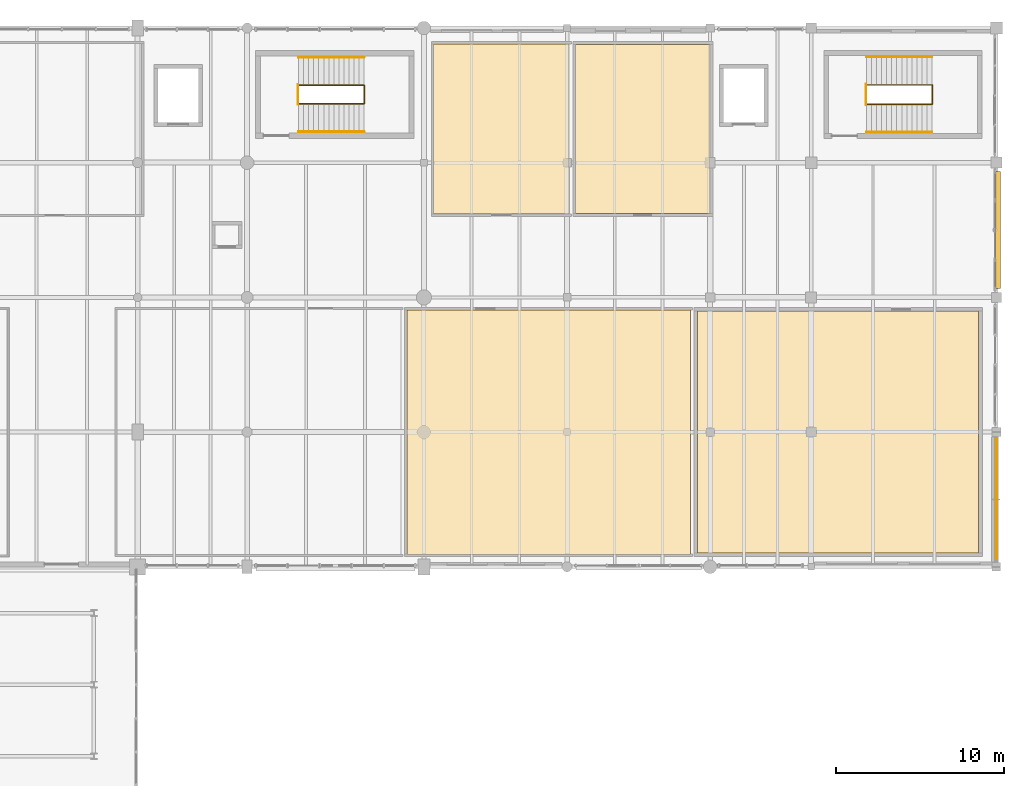
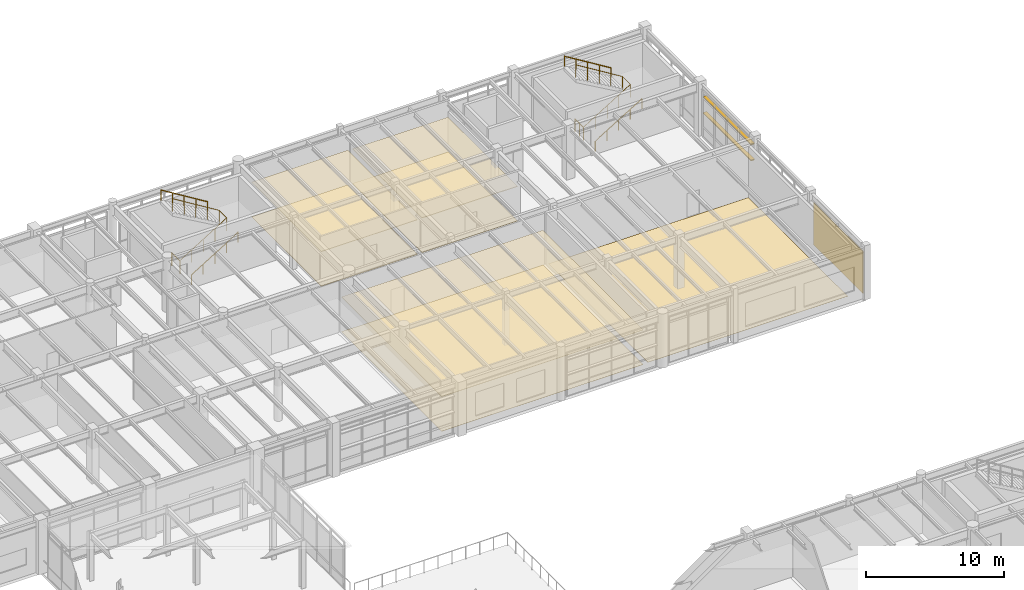
# One storey, part 200 of 200: 8 coverings, 8 railings, 2 shading devices.
"""IFC4 building model written with IfcOpenShell, lengths in metres."""

import ifcopenshell
import ifcopenshell.guid

model = None  # the IFC model being written
_history = None  # IfcOwnerHistory: only IFC2X3 demands one
_inside = {}  # id of a spatial element -> (the spatial element, [elements in it])
_under = {}  # id of a project, library or spatial element -> (it, [spatial elements below it])
_declared = {}  # id of a project -> (the project, [libraries it declares])
_typed = {}  # id of a type object -> (the type object, [elements of that type])
_made_of = {}  # id of a material, layer set ... -> (it, [elements and type objects made of it])


def new_model(schema):
    """Start an empty IFC model of exactly this schema.

    Asked for "IFC4X3", IfcOpenShell would pick the latest addendum, in which some entities
    have other attributes; the version numbers below select the first issue.
    IFC2X3 requires an IfcOwnerHistory on every rooted entity: one is made here for all.
    """
    global model, _history
    if schema == "IFC4X3":
        model = ifcopenshell.file(schema_version=(4, 3, 0, 0))
    else:
        model = ifcopenshell.file(schema=schema)
    _inside.clear()
    _under.clear()
    _declared.clear()
    _typed.clear()
    _made_of.clear()
    _history = None
    if model.schema == "IFC2X3":
        org = make("IfcOrganization", Name="unknown")
        user = make(
            "IfcPersonAndOrganization",
            ThePerson=make("IfcPerson", FamilyName="unknown"),
            TheOrganization=org,
        )
        app = make(
            "IfcApplication",
            ApplicationDeveloper=org,
            Version="unknown",
            ApplicationFullName="unknown",
            ApplicationIdentifier="unknown",
        )
        _history = make(
            "IfcOwnerHistory",
            OwningUser=user,
            OwningApplication=app,
            ChangeAction="ADDED",
            CreationDate=0,
        )
    return model


def make(cls, **values):
    """One entity of the class cls with the attributes given. An attribute that is None is left unset."""
    return model.create_entity(
        cls, **{name: value for name, value in values.items() if value is not None}
    )


def rooted(cls, **values):
    """An entity with a GlobalId (a new one), such as an element, a storey or a relation."""
    return make(cls, GlobalId=ifcopenshell.guid.new(), OwnerHistory=_history, **values)


def si_unit(unit_type, name, prefix=None):
    """IfcSIUnit, for example si_unit("LENGTHUNIT", "METRE", prefix="MILLI")."""
    return make("IfcSIUnit", UnitType=unit_type, Prefix=prefix, Name=name)


def assignment(units):
    """IfcUnitAssignment: the units of a project."""
    return None if units is None else make("IfcUnitAssignment", Units=units)


def point(xyz):
    """IfcCartesianPoint."""
    return None if xyz is None else make("IfcCartesianPoint", Coordinates=xyz)


def direction(xyz):
    """IfcDirection."""
    return None if xyz is None else make("IfcDirection", DirectionRatios=xyz)


def frame(location, z_axis=None, x_axis=None):
    """IfcAxis2Placement3D, a coordinate frame: its origin and axes. An axis left out is left unset."""
    return make(
        "IfcAxis2Placement3D",
        Location=point(location),
        Axis=direction(z_axis),
        RefDirection=direction(x_axis),
    )


def frame_2d(location, x_axis=None):
    """IfcAxis2Placement2D, a coordinate frame in the plane: its origin and x axis."""
    return make(
        "IfcAxis2Placement2D", Location=point(location), RefDirection=direction(x_axis)
    )


def origin():
    """The frame at (0, 0, 0) with its axes left unset."""
    return frame((0.0, 0.0, 0.0))


def origin_2d():
    """The frame at (0, 0) in the plane with its x axis left unset."""
    return frame_2d((0.0, 0.0))


def place(relative_to, where):
    """IfcLocalPlacement: puts the frame where relative to a parent placement (None: the world)."""
    return make(
        "IfcLocalPlacement", PlacementRelTo=relative_to, RelativePlacement=where
    )


def context(
    kind, dimensions, precision=None, world=None, true_north=None, identifier=None
):
    """IfcGeometricRepresentationContext, for example the 3D "Model" context."""
    return make(
        "IfcGeometricRepresentationContext",
        ContextIdentifier=identifier,
        ContextType=kind,
        CoordinateSpaceDimension=dimensions,
        Precision=precision,
        WorldCoordinateSystem=world,
        TrueNorth=true_north,
    )


def subcontext(parent, identifier, kind, view, scale=None):
    """IfcGeometricRepresentationSubContext, for example "Body" below "Model"."""
    return make(
        "IfcGeometricRepresentationSubContext",
        ContextIdentifier=identifier,
        ContextType=kind,
        ParentContext=parent,
        TargetScale=scale,
        TargetView=view,
    )


def project(units=None, contexts=None):
    """IfcProject with its units and contexts."""
    return rooted(
        "IfcProject",
        Name="project",
        RepresentationContexts=contexts,
        UnitsInContext=assignment(units),
    )


def spatial(cls, under=None, at=None, **own):
    """A site, building, storey or space (cls), placed at a placement, below another one or the project."""
    s = rooted(cls, ObjectPlacement=at, **own)
    if under is not None:
        _under.setdefault(under.id(), (under, []))[1].append(s)
    return s


def polyline(points):
    """IfcPolyline through the points."""
    return make("IfcPolyline", Points=[point(p) for p in points])


def profile(cls, at=None, kind="AREA", **sizes):
    """A parametric profile (cls). Its sizes go by their IFC names, for example OverallWidth=200.0."""
    return make(cls, ProfileType=kind, Position=at, **sizes)


def rectangle(**sizes):
    """IfcRectangleProfileDef."""
    return profile("IfcRectangleProfileDef", **sizes)


def circle(**sizes):
    """IfcCircleProfileDef."""
    return profile("IfcCircleProfileDef", **sizes)


def outline(outer, holes=None, kind="AREA"):
    """IfcArbitraryClosedProfileDef: a profile drawn as a closed curve; with holes, ...WithVoids."""
    if holes is None:
        return make("IfcArbitraryClosedProfileDef", ProfileType=kind, OuterCurve=outer)
    return make(
        "IfcArbitraryProfileDefWithVoids",
        ProfileType=kind,
        OuterCurve=outer,
        InnerCurves=holes,
    )


def extrude(swept, where, along, depth):
    """IfcExtrudedAreaSolid: the profile swept, set in the frame where, extruded along a direction by depth."""
    return make(
        "IfcExtrudedAreaSolid",
        SweptArea=swept,
        Position=where,
        ExtrudedDirection=direction(along),
        Depth=depth,
    )


def shape(context_of_items, identifier, shape_type, items):
    """IfcShapeRepresentation: the items that make up one representation, for example the "Body"."""
    return make(
        "IfcShapeRepresentation",
        ContextOfItems=context_of_items,
        RepresentationIdentifier=identifier,
        RepresentationType=shape_type,
        Items=items,
    )


def material(Name=None, Category=None):
    """IfcMaterial."""
    return make("IfcMaterial", Name=Name, Category=Category)


def layer(
    of_material, thickness, ventilated=None, Name=None, Category=None, Priority=None
):
    """IfcMaterialLayer: one layer of a wall or slab, of a material (None: an air gap)."""
    return make(
        "IfcMaterialLayer",
        Material=of_material,
        LayerThickness=thickness,
        IsVentilated=ventilated,
        Name=Name,
        Category=Category,
        Priority=Priority,
    )


def layer_set(layers, Name=None):
    """IfcMaterialLayerSet."""
    return make("IfcMaterialLayerSet", MaterialLayers=layers, LayerSetName=Name)


def made_of(thing, what):
    """Note that an element or type object is made of a material, layer set ...; save() writes the relation."""
    if what is not None:
        _made_of.setdefault(what.id(), (what, []))[1].append(thing)
    return thing


def type_object(cls, material=None, **own):
    """A type object (cls), such as IfcWallType, which elements share."""
    return made_of(rooted(cls, **own), material)


def element(
    cls,
    number,
    at=None,
    inside=None,
    cuts=None,
    type_object=None,
    material=None,
    context=None,
    identifier="Body",
    shape_type=None,
    held_by="IfcProductDefinitionShape",
    body=None,
    shapes=None,
    **own,
):
    """One element of the class cls, such as IfcWall. Its Tag is "e" and its number.

    at: its placement. inside: the storey or other place that contains it. cuts: it is an
    opening in that element (IfcRelVoidsElement). A single representation is given by context,
    identifier, shape_type and body (its items); several are given by shapes. held_by: the class
    of the entity that holds the representations. save() writes the other relations.
    """
    e = rooted(cls, Tag="e%d" % number, ObjectPlacement=at, **own)
    if body is not None:
        shapes = [shape(context, identifier, shape_type, body)]
    if shapes is not None:
        e.Representation = make(held_by, Representations=shapes)
    if inside is not None:
        _inside.setdefault(inside.id(), (inside, []))[1].append(e)
    if cuts is not None:
        rooted(
            "IfcRelVoidsElement", RelatingBuildingElement=cuts, RelatedOpeningElement=e
        )
    if type_object is not None:
        _typed.setdefault(type_object.id(), (type_object, []))[1].append(e)
    return made_of(e, material)


def aggregate(whole, parts):
    """IfcRelAggregates: a whole, such as a stair, and the parts it consists of."""
    return rooted("IfcRelAggregates", RelatingObject=whole, RelatedObjects=parts)


def save(model, path):
    """Write the relations noted so far, then the file.

    IfcRelAggregates (storeys below a building ...), IfcRelContainedInSpatialStructure (elements
    in a storey), IfcRelDefinesByType, IfcRelAssociatesMaterial and IfcRelDeclares: one each for
    every whole, place, type object, material and project.
    """
    for whole, parts in _under.values():
        aggregate(whole, parts)
    for where, things in _inside.values():
        rooted(
            "IfcRelContainedInSpatialStructure",
            RelatedElements=things,
            RelatingStructure=where,
        )
    for kind, things in _typed.values():
        rooted("IfcRelDefinesByType", RelatedObjects=things, RelatingType=kind)
    for what, things in _made_of.values():
        rooted("IfcRelAssociatesMaterial", RelatedObjects=things, RelatingMaterial=what)
    for by, libraries in _declared.values():
        rooted("IfcRelDeclares", RelatingContext=by, RelatedDefinitions=libraries)
    model.write(path)


model = new_model("IFC4")

# Units and contexts
model_context = context("Model", 3, precision=1e-05, world=origin(), true_north=direction((0.0, 1.0)))
body_context = subcontext(model_context, "Body", "Model", "MODEL_VIEW")
ifc_project = project(units=[si_unit("LENGTHUNIT", "METRE"), si_unit("AREAUNIT", "SQUARE_METRE"), si_unit("VOLUMEUNIT", "CUBIC_METRE"), si_unit("PLANEANGLEUNIT", "RADIAN"), si_unit("MASSUNIT", "GRAM", prefix="KILO"), si_unit("THERMODYNAMICTEMPERATUREUNIT", "KELVIN"), si_unit("POWERUNIT", "WATT")], contexts=[model_context])

# Site, building, storey
site_placement = place(None, origin())
site = spatial("IfcSite", under=ifc_project, at=site_placement, CompositionType="ELEMENT")
building_placement = place(site_placement, origin())
building = spatial("IfcBuilding", under=site, at=building_placement, Name="Tepalcoro Natatorium and Aquatics Centre", CompositionType="ELEMENT")
storey_placement = place(building_placement, frame((0.0, 0.0, 5.39990234375)))
storey = spatial("IfcBuildingStorey", under=building, at=storey_placement, Name="L01", CompositionType="ELEMENT", Elevation=5.39990234375)

# Coverings
ifc_material_1 = material(Name="Jalisco Cantera Rosa Volcanic Tuff Ashlar Masonry", Category="masonry")
ifc_layer_1 = layer(ifc_material_1, 0.050048828125)
ifc_layer_set_1 = layer_set([ifc_layer_1], Name="Jalisco Cantera Rosa Volcanic Tuff Ashlar Masonry")
covering_type_1 = type_object("IfcCoveringType", Name="CD_TERRACOTTA_50", PredefinedType="CLADDING", material=ifc_layer_set_1)
covering_1_placement = place(storey_placement, frame((176.02001953125, 90.0048828125, 0.10009765625), z_axis=(0.0, 0.0, 1.0), x_axis=(1.0, 0.0, 0.0)))
element("IfcCovering", 1, at=covering_1_placement, inside=storey, type_object=covering_type_1, Name="Volcanic Stone Facade Cladding CD_TERRACOTTA_50", PredefinedType="CLADDING", context=body_context, shape_type="SweptSolid", body=[
    extrude(rectangle(XDim=0.050048828125, YDim=7.132080078125, at=origin_2d()), origin(), (0.0, 0.0, 1.0), 3.718017578125),
])
ifc_material_2 = material(Name="Perforated Corrosion-Resistant Acoustic Aluminium Baffle Ceiling", Category="aluminium")
ifc_layer_2 = layer(ifc_material_2, 0.044921875)
ifc_layer_set_2 = layer_set([ifc_layer_2], Name="Perforated Corrosion-Resistant Acoustic Aluminium Baffle Ceiling")
covering_type_2 = type_object("IfcCoveringType", Name="CL_BAFFLE_120", PredefinedType="CEILING", material=ifc_layer_set_2)
covering_2_placement = place(storey_placement, frame((0.0, 0.0, 3.050048828125)))
element("IfcCovering", 2, at=covering_2_placement, inside=storey, type_object=covering_type_2, Name="Broadcast Cabling & Camera Store Suspended Ceiling", PredefinedType="CEILING", context=body_context, shape_type="SweptSolid", body=[
    extrude(outline(polyline([(151.010009765625, 106.969970703125), (151.010009765625, 117.030029296875), (158.989990234375, 117.030029296875), (158.989990234375, 106.969970703125), (151.010009765625, 106.969970703125)])), origin(), (0.0, 0.0, 1.0), 0.045166015625),
])
ifc_material_3 = material(Name="Moisture-Resistant Acoustic Gypsum Drywall on Cold-Formed Metal Studs")
ifc_layer_3 = layer(ifc_material_3, 0.030029296875)
ifc_layer_set_3 = layer_set([ifc_layer_3], Name="Moisture-Resistant Acoustic Gypsum Drywall on Cold-Formed Metal Studs")
covering_type_3 = type_object("IfcCoveringType", Name="CL_GYPSUM_30", PredefinedType="CEILING", material=ifc_layer_set_3)
covering_3_placement = place(storey_placement, frame((0.0, 0.0, 3.050048828125)))
element("IfcCovering", 3, at=covering_3_placement, inside=storey, type_object=covering_type_3, Name="Simultaneous Interpretation Booths & AV Rack Suspended Ceiling", PredefinedType="CEILING", context=body_context, shape_type="SweptSolid", body=[
    extrude(outline(polyline([(140.97998046875, 86.739990234375), (140.97998046875, 101.260009765625), (157.820068359375, 101.260009765625), (157.820068359375, 86.739990234375), (140.97998046875, 86.739990234375)])), origin(), (0.0, 0.0, 1.0), 0.030029296875),
])
ifc_layer_4 = layer(ifc_material_2, 0.0400390625)
ifc_layer_set_4 = layer_set([ifc_layer_4], Name="Perforated Corrosion-Resistant Acoustic Aluminium Baffle Ceiling")
covering_type_4 = type_object("IfcCoveringType", Name="CL_PERF_AL_40", PredefinedType="CEILING", material=ifc_layer_set_4)
covering_4_placement = place(storey_placement, frame((0.0, 0.0, 3.050048828125)))
element("IfcCovering", 4, at=covering_4_placement, inside=storey, type_object=covering_type_4, Name="Volunteer Briefing & Uniform Room Suspended Ceiling", PredefinedType="CEILING", context=body_context, shape_type="SweptSolid", body=[
    extrude(outline(polyline([(142.580078125, 106.93994140625), (142.580078125, 117.06005859375), (150.6201171875, 117.06005859375), (150.6201171875, 106.93994140625), (142.580078125, 106.93994140625)])), origin(), (0.0, 0.0, 1.0), 0.0400390625),
])
ifc_material_4 = material(Name="Shock-Absorbing Vulcanised Athletic Rubber Flooring")
ifc_layer_5 = layer(ifc_material_4, 0.010009765625)
ifc_layer_set_5 = layer_set([ifc_layer_5], Name="Shock-Absorbing Vulcanised Athletic Rubber Flooring")
covering_type_5 = type_object("IfcCoveringType", Name="FL_CARPET_10", PredefinedType="FLOORING", material=ifc_layer_set_5)
covering_5_placement = place(storey_placement, origin())
element("IfcCovering", 5, at=covering_5_placement, inside=storey, type_object=covering_type_5, Name="Simultaneous Interpretation Booths & AV Rack Floor Finish", PredefinedType="FLOORING", context=body_context, shape_type="SweptSolid", body=[
    extrude(outline(polyline([(140.97998046875, 86.739990234375), (140.97998046875, 101.260009765625), (157.820068359375, 101.260009765625), (157.820068359375, 86.739990234375), (140.97998046875, 86.739990234375)])), origin(), (0.0, 0.0, 1.0), 0.010009765625),
])
ifc_layer_6 = layer(ifc_material_4, 0.011962890625)
ifc_layer_set_6 = layer_set([ifc_layer_6], Name="Shock-Absorbing Vulcanised Athletic Rubber Flooring")
covering_type_6 = type_object("IfcCoveringType", Name="FL_RUBBER_12", PredefinedType="FLOORING", material=ifc_layer_set_6)
covering_6_placement = place(storey_placement, origin())
element("IfcCovering", 6, at=covering_6_placement, inside=storey, type_object=covering_type_6, Name="Media Male/Female & Accessible Toilets Floor Finish", PredefinedType="FLOORING", context=body_context, shape_type="SweptSolid", body=[
    extrude(outline(polyline([(158.25, 86.81005859375), (158.25, 101.18994140625), (174.949951171875, 101.18994140625), (174.949951171875, 86.81005859375), (158.25, 86.81005859375)])), origin(), (0.0, 0.0, 1.0), 0.01220703125),
])
ifc_material_5 = material(Name="Polished Jalisco Basalt Aggregate Terrazzo Flooring", Category="masonry")
ifc_layer_7 = layer(ifc_material_5, 0.028076171875)
ifc_layer_set_7 = layer_set([ifc_layer_7], Name="Polished Jalisco Basalt Aggregate Terrazzo Flooring")
covering_type_7 = type_object("IfcCoveringType", Name="FL_TERRAZZO_25", PredefinedType="FLOORING", material=ifc_layer_set_7)
covering_7_placement = place(storey_placement, origin())
element("IfcCovering", 7, at=covering_7_placement, inside=storey, type_object=covering_type_7, Name="Broadcast Cabling & Camera Store Floor Finish", PredefinedType="FLOORING", context=body_context, shape_type="SweptSolid", body=[
    extrude(outline(polyline([(151.010009765625, 106.969970703125), (151.010009765625, 117.030029296875), (158.989990234375, 117.030029296875), (158.989990234375, 106.969970703125), (151.010009765625, 106.969970703125)])), origin(), (0.0, 0.0, 1.0), 0.028076171875),
])
ifc_material_6 = material(Name="Sprung Maple Sports Floor Assembly")
ifc_layer_8 = layer(ifc_material_6, 0.02392578125)
ifc_layer_set_8 = layer_set([ifc_layer_8], Name="Sprung Maple Sports Floor Assembly")
covering_type_8 = type_object("IfcCoveringType", Name="FL_WOOD_22", PredefinedType="FLOORING", material=ifc_layer_set_8)
covering_8_placement = place(storey_placement, origin())
element("IfcCovering", 8, at=covering_8_placement, inside=storey, type_object=covering_type_8, Name="Volunteer Briefing & Uniform Room Floor Finish", PredefinedType="FLOORING", context=body_context, shape_type="SweptSolid", body=[
    extrude(outline(polyline([(142.580078125, 106.93994140625), (142.580078125, 117.06005859375), (150.6201171875, 117.06005859375), (150.6201171875, 106.93994140625), (142.580078125, 106.93994140625)])), origin(), (0.0, 0.0, 1.0), 0.024169921875),
])

# Railings
ifc_material_7 = material(Name="Bronze-Anodised Extruded Aluminium Alloy EN AW-6063 T6", Category="aluminium")
railing_type_1 = type_object("IfcRailingType", Name="RL_HAND_900_BRZ", PredefinedType="HANDRAIL", material=ifc_material_7)
railing_1_placement = place(storey_placement, frame((134.550048828125, 111.830078125, 0.0)))
element("IfcRailing", 9, at=railing_1_placement, inside=storey, type_object=railing_type_1, Name="ST09-L01 Wall Handrail F1", PredefinedType="HANDRAIL", context=body_context, shape_type="SweptSolid", body=[
    extrude(circle(Radius=0.02392578125, at=origin_2d()), frame((0.0, 0.0, 0.8759765625), z_axis=(0.851638180308, 0.0, 0.5241301459), x_axis=(0.0, 1.0, 0.0)), (0.0, 0.0, 1.0), 4.579345703125),
    extrude(circle(Radius=0.02099609375, at=origin_2d()), origin(), (0.0, 0.0, 1.0), 0.851806640625),
    extrude(circle(Radius=0.02099609375, at=origin_2d()), frame((0.97509765625, 0.0, 0.60009765625)), (0.0, 0.0, 1.0), 0.851806640625),
    extrude(circle(Radius=0.02099609375, at=origin_2d()), frame((1.949951171875, 0.0, 1.2001953125)), (0.0, 0.0, 1.0), 0.851806640625),
    extrude(circle(Radius=0.02099609375, at=origin_2d()), frame((2.9248046875, 0.0, 1.800048828125)), (0.0, 0.0, 1.0), 0.851806640625),
    extrude(circle(Radius=0.02099609375, at=origin_2d()), frame((3.89990234375, 0.0, 2.400146484375)), (0.0, 0.0, 1.0), 0.851806640625),
])
railing_2_placement = place(storey_placement, frame((138.449951171875, 116.27001953125, 2.400146484375)))
element("IfcRailing", 10, at=railing_2_placement, inside=storey, type_object=railing_type_1, Name="ST09-L01 Wall Handrail F2", PredefinedType="HANDRAIL", context=body_context, shape_type="SweptSolid", body=[
    extrude(circle(Radius=0.02392578125, at=origin_2d()), frame((0.0, 0.0, 0.8759765625), z_axis=(-0.851661977835, 0.0, 0.524091476281), x_axis=(0.0, -1.0, 0.0)), (0.0, 0.0, 1.0), 4.5791015625),
    extrude(circle(Radius=0.02099609375, at=origin_2d()), origin(), (0.0, 0.0, 1.0), 0.851806640625),
    extrude(circle(Radius=0.02099609375, at=origin_2d()), frame((-0.97509765625, 0.0, 0.60009765625)), (0.0, 0.0, 1.0), 0.851806640625),
    extrude(circle(Radius=0.02099609375, at=origin_2d()), frame((-1.949951171875, 0.0, 1.199951171875)), (0.0, 0.0, 1.0), 0.851806640625),
    extrude(circle(Radius=0.02099609375, at=origin_2d()), frame((-2.9248046875, 0.0, 1.7998046875)), (0.0, 0.0, 1.0), 0.851806640625),
    extrude(circle(Radius=0.02099609375, at=origin_2d()), frame((-3.89990234375, 0.0, 2.39990234375)), (0.0, 0.0, 1.0), 0.851806640625),
])
railing_3_placement = place(storey_placement, frame((168.280029296875, 111.81005859375, 0.0)))
element("IfcRailing", 11, at=railing_3_placement, inside=storey, type_object=railing_type_1, Name="ST10-L01 Wall Handrail F1", PredefinedType="HANDRAIL", context=body_context, shape_type="SweptSolid", body=[
    extrude(circle(Radius=0.02392578125, at=origin_2d()), frame((0.0, 0.0, 0.8759765625), z_axis=(0.851638180308, 0.0, 0.5241301459), x_axis=(0.0, 1.0, 0.0)), (0.0, 0.0, 1.0), 4.579345703125),
    extrude(circle(Radius=0.02099609375, at=origin_2d()), origin(), (0.0, 0.0, 1.0), 0.851806640625),
    extrude(circle(Radius=0.02099609375, at=origin_2d()), frame((0.97509765625, 0.0, 0.60009765625)), (0.0, 0.0, 1.0), 0.851806640625),
    extrude(circle(Radius=0.02099609375, at=origin_2d()), frame((1.949951171875, 0.0, 1.2001953125)), (0.0, 0.0, 1.0), 0.851806640625),
    extrude(circle(Radius=0.02099609375, at=origin_2d()), frame((2.9248046875, 0.0, 1.800048828125)), (0.0, 0.0, 1.0), 0.851806640625),
    extrude(circle(Radius=0.02099609375, at=origin_2d()), frame((3.89990234375, 0.0, 2.400146484375)), (0.0, 0.0, 1.0), 0.851806640625),
])
railing_4_placement = place(storey_placement, frame((172.179931640625, 116.2900390625, 2.400146484375)))
element("IfcRailing", 12, at=railing_4_placement, inside=storey, type_object=railing_type_1, Name="ST10-L01 Wall Handrail F2", PredefinedType="HANDRAIL", context=body_context, shape_type="SweptSolid", body=[
    extrude(circle(Radius=0.02392578125, at=origin_2d()), frame((0.0, 0.0, 0.8759765625), z_axis=(-0.851661977835, 0.0, 0.524091476281), x_axis=(0.0, -1.0, 0.0)), (0.0, 0.0, 1.0), 4.5791015625),
    extrude(circle(Radius=0.02099609375, at=origin_2d()), origin(), (0.0, 0.0, 1.0), 0.851806640625),
    extrude(circle(Radius=0.02099609375, at=origin_2d()), frame((-0.97509765625, 0.0, 0.60009765625)), (0.0, 0.0, 1.0), 0.851806640625),
    extrude(circle(Radius=0.02099609375, at=origin_2d()), frame((-1.949951171875, 0.0, 1.199951171875)), (0.0, 0.0, 1.0), 0.851806640625),
    extrude(circle(Radius=0.02099609375, at=origin_2d()), frame((-2.9248046875, 0.0, 1.7998046875)), (0.0, 0.0, 1.0), 0.851806640625),
    extrude(circle(Radius=0.02099609375, at=origin_2d()), frame((-3.89990234375, 0.0, 2.39990234375)), (0.0, 0.0, 1.0), 0.851806640625),
])
ifc_material_8 = material(Name="Hollow Steel ASTM A500 Grade C (Fy 345 MPa)", Category="steel")
railing_type_2 = type_object("IfcRailingType", Name="RL_STEEL_1100", PredefinedType="GUARDRAIL", material=ifc_material_8)
railing_5_placement = place(storey_placement, frame((134.550048828125, 113.5, 0.0)))
element("IfcRailing", 13, at=railing_5_placement, inside=storey, type_object=railing_type_2, Name="ST09-L01 Inner Stairwell Guardrail", PredefinedType="GUARDRAIL", context=body_context, shape_type="SweptSolid", body=[
    extrude(circle(Radius=0.02392578125, at=origin_2d()), frame((0.0, 0.0, 1.1259765625), z_axis=(0.851638180308, 0.0, 0.5241301459), x_axis=(0.0, 1.0, 0.0)), (0.0, 0.0, 1.0), 4.579345703125),
    extrude(circle(Radius=0.02392578125, at=origin_2d()), frame((3.89990234375, 0.0, 3.52587890625), z_axis=(0.0, 1.0, 0.0), x_axis=(-1.0, 0.0, 0.0)), (0.0, 0.0, 1.0), 1.10009765625),
    extrude(circle(Radius=0.02392578125, at=origin_2d()), frame((3.89990234375, 1.10009765625, 3.52587890625), z_axis=(-0.851661977835, 0.0, 0.524091476281), x_axis=(0.0, -1.0, 0.0)), (0.0, 0.0, 1.0), 4.5791015625),
    extrude(circle(Radius=0.02099609375, at=origin_2d()), origin(), (0.0, 0.0, 1.0), 1.101806640625),
    extrude(circle(Radius=0.02099609375, at=origin_2d()), frame((0.97509765625, 0.0, 0.60009765625)), (0.0, 0.0, 1.0), 1.101806640625),
    extrude(circle(Radius=0.02099609375, at=origin_2d()), frame((1.949951171875, 0.0, 1.2001953125)), (0.0, 0.0, 1.0), 1.101806640625),
    extrude(circle(Radius=0.02099609375, at=origin_2d()), frame((2.9248046875, 0.0, 1.800048828125)), (0.0, 0.0, 1.0), 1.101806640625),
    extrude(circle(Radius=0.02099609375, at=origin_2d()), frame((3.89990234375, 0.0, 2.400146484375)), (0.0, 0.0, 1.0), 1.101806640625),
    extrude(circle(Radius=0.02099609375, at=origin_2d()), frame((3.89990234375, 1.10009765625, 2.400146484375)), (0.0, 0.0, 1.0), 1.101806640625),
    extrude(circle(Radius=0.02099609375, at=origin_2d()), frame((2.9248046875, 1.10009765625, 3.0)), (0.0, 0.0, 1.0), 1.101806640625),
    extrude(circle(Radius=0.02099609375, at=origin_2d()), frame((1.949951171875, 1.10009765625, 3.60009765625)), (0.0, 0.0, 1.0), 1.101806640625),
    extrude(circle(Radius=0.02099609375, at=origin_2d()), frame((0.97509765625, 1.10009765625, 4.2001953125)), (0.0, 0.0, 1.0), 1.101806640625),
    extrude(circle(Radius=0.02099609375, at=origin_2d()), frame((0.0, 1.10009765625, 4.800048828125)), (0.0, 0.0, 1.0), 1.101806640625),
])
railing_6_placement = place(storey_placement, frame((134.52001953125, 113.4599609375, 0.0)))
element("IfcRailing", 14, at=railing_6_placement, inside=storey, type_object=railing_type_2, Name="ST09-L01 Landing Well Slot Guard", PredefinedType="GUARDRAIL", context=body_context, shape_type="SweptSolid", body=[
    extrude(circle(Radius=0.02392578125, at=origin_2d()), frame((0.0, 0.0, 1.1259765625), z_axis=(0.0, 1.0, 0.0), x_axis=(-1.0, 0.0, 0.0)), (0.0, 0.0, 1.0), 1.179931640625),
    extrude(circle(Radius=0.02099609375, at=origin_2d()), origin(), (0.0, 0.0, 1.0), 1.101806640625),
    extrude(circle(Radius=0.02099609375, at=origin_2d()), frame((0.0, 1.179931640625, 0.0)), (0.0, 0.0, 1.0), 1.101806640625),
])
railing_7_placement = place(storey_placement, frame((168.280029296875, 113.47998046875, 0.0)))
element("IfcRailing", 15, at=railing_7_placement, inside=storey, type_object=railing_type_2, Name="ST10-L01 Inner Stairwell Guardrail", PredefinedType="GUARDRAIL", context=body_context, shape_type="SweptSolid", body=[
    extrude(circle(Radius=0.02392578125, at=origin_2d()), frame((0.0, 0.0, 1.1259765625), z_axis=(0.851638180308, 0.0, 0.5241301459), x_axis=(0.0, 1.0, 0.0)), (0.0, 0.0, 1.0), 4.579345703125),
    extrude(circle(Radius=0.02392578125, at=origin_2d()), frame((3.89990234375, 0.0, 3.52587890625), z_axis=(0.0, 1.0, 0.0), x_axis=(-1.0, 0.0, 0.0)), (0.0, 0.0, 1.0), 1.14013671875),
    extrude(circle(Radius=0.02392578125, at=origin_2d()), frame((3.89990234375, 1.14013671875, 3.52587890625), z_axis=(-0.851661977835, 0.0, 0.524091476281), x_axis=(0.0, -1.0, 0.0)), (0.0, 0.0, 1.0), 4.5791015625),
    extrude(circle(Radius=0.02099609375, at=origin_2d()), origin(), (0.0, 0.0, 1.0), 1.101806640625),
    extrude(circle(Radius=0.02099609375, at=origin_2d()), frame((0.97509765625, 0.0, 0.60009765625)), (0.0, 0.0, 1.0), 1.101806640625),
    extrude(circle(Radius=0.02099609375, at=origin_2d()), frame((1.949951171875, 0.0, 1.2001953125)), (0.0, 0.0, 1.0), 1.101806640625),
    extrude(circle(Radius=0.02099609375, at=origin_2d()), frame((2.9248046875, 0.0, 1.800048828125)), (0.0, 0.0, 1.0), 1.101806640625),
    extrude(circle(Radius=0.02099609375, at=origin_2d()), frame((3.89990234375, 0.0, 2.400146484375)), (0.0, 0.0, 1.0), 1.101806640625),
    extrude(circle(Radius=0.02099609375, at=origin_2d()), frame((3.89990234375, 1.14013671875, 2.400146484375)), (0.0, 0.0, 1.0), 1.101806640625),
    extrude(circle(Radius=0.02099609375, at=origin_2d()), frame((2.9248046875, 1.14013671875, 3.0)), (0.0, 0.0, 1.0), 1.101806640625),
    extrude(circle(Radius=0.02099609375, at=origin_2d()), frame((1.949951171875, 1.14013671875, 3.60009765625)), (0.0, 0.0, 1.0), 1.101806640625),
    extrude(circle(Radius=0.02099609375, at=origin_2d()), frame((0.97509765625, 1.14013671875, 4.2001953125)), (0.0, 0.0, 1.0), 1.101806640625),
    extrude(circle(Radius=0.02099609375, at=origin_2d()), frame((0.0, 1.14013671875, 4.800048828125)), (0.0, 0.0, 1.0), 1.101806640625),
])
railing_8_placement = place(storey_placement, frame((168.25, 113.43994140625, 0.0)))
element("IfcRailing", 16, at=railing_8_placement, inside=storey, type_object=railing_type_2, Name="ST10-L01 Landing Well Slot Guard", PredefinedType="GUARDRAIL", context=body_context, shape_type="SweptSolid", body=[
    extrude(circle(Radius=0.02392578125, at=origin_2d()), frame((0.0, 0.0, 1.1259765625), z_axis=(0.0, 1.0, 0.0), x_axis=(-1.0, 0.0, 0.0)), (0.0, 0.0, 1.0), 1.219970703125),
    extrude(circle(Radius=0.02099609375, at=origin_2d()), origin(), (0.0, 0.0, 1.0), 1.101806640625),
    extrude(circle(Radius=0.02099609375, at=origin_2d()), frame((0.0, 0.60986328125, 0.0)), (0.0, 0.0, 1.0), 1.101806640625),
    extrude(circle(Radius=0.02099609375, at=origin_2d()), frame((0.0, 1.219970703125, 0.0)), (0.0, 0.0, 1.0), 1.101806640625),
])

# Shading devices
shading_device_type = type_object("IfcShadingDeviceType", Name="SHD_FIN_BRONZE", PredefinedType="SHUTTER", material=ifc_material_7)
for number, where, z_axis, x_axis, name in (
    (17, (176.0888671875, 106.0, 2.066650390625), (0.0, 0.0, 1.0), (1.0, 0.0, 0.0), "Solar Shading Brise-Soleil SHD_FIN_BRONZE"),
    (18, (176.0888671875, 106.0, 3.47998046875), (0.0, 0.0, 1.0), (1.0, 0.0, 0.0), "Solar Shading Brise-Soleil SHD_FIN_BRONZE"),
):
    element("IfcShadingDevice", number, at=place(storey_placement, frame(where, z_axis=z_axis, x_axis=x_axis)), inside=storey, type_object=shading_device_type, Name=name, PredefinedType="SHUTTER", context=body_context, shape_type="SweptSolid", body=[
        extrude(rectangle(XDim=0.300048828125, YDim=6.9599609375, at=origin_2d()), origin(), (0.0, 0.0, 1.0), 0.080078125),
    ])

save(model, "model.ifc")
